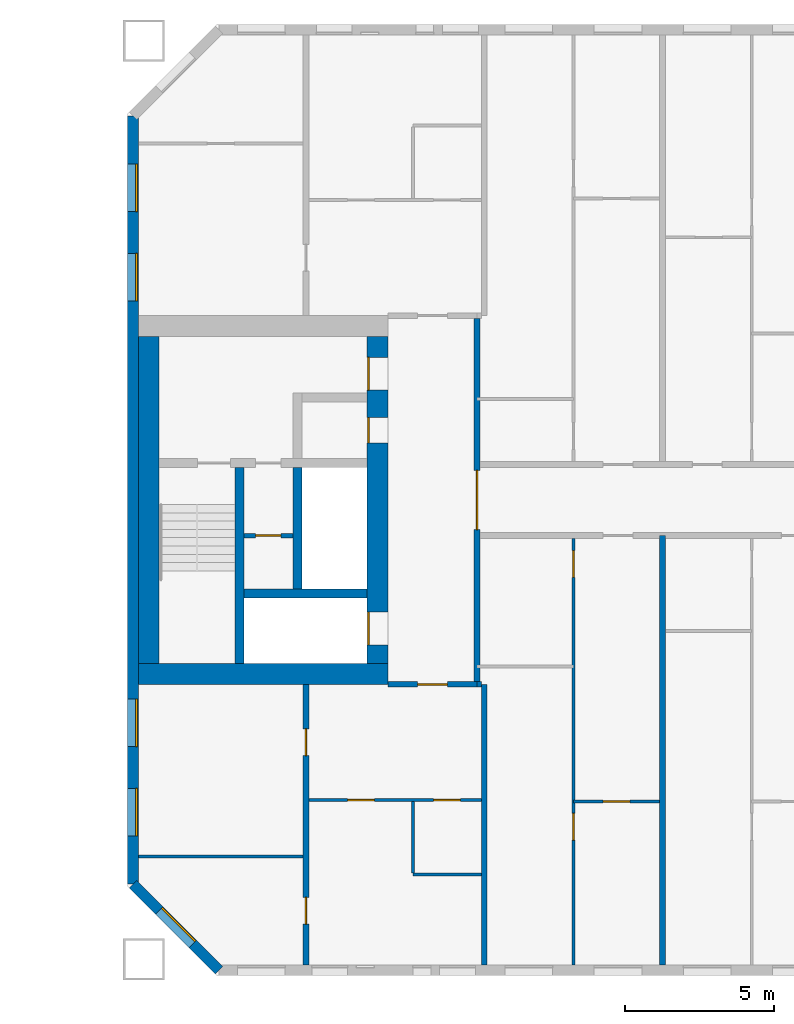
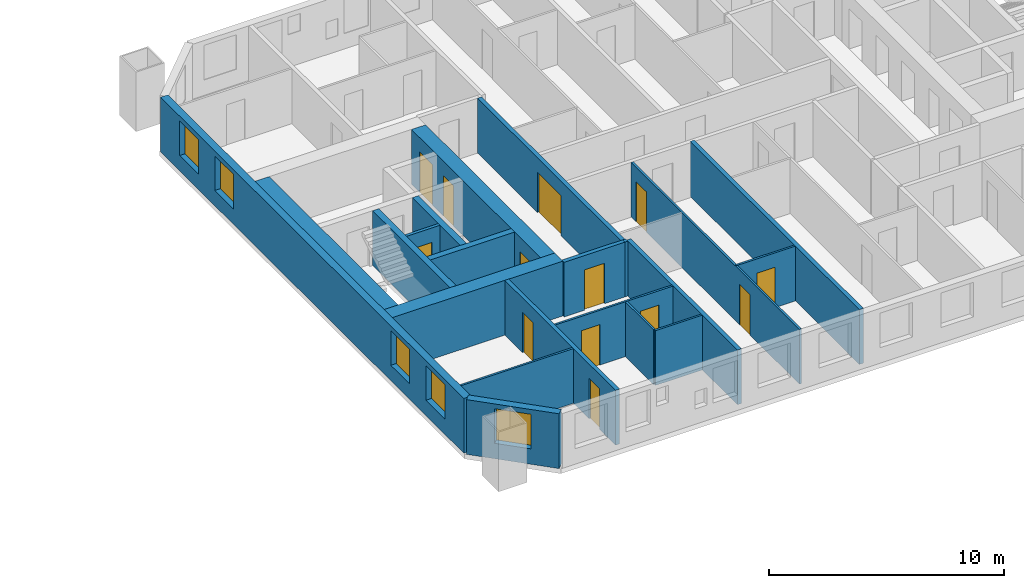
# One storey, part 9 of 17: 21 walls, 13 doors, 5 windows, 18 openings.
"""IFC4 building model written with IfcOpenShell, lengths in metres."""

from ifc_helpers import new_model, si_unit, direction, frame, frame_2d, origin, place, context, subcontext, project, spatial, rectangle, extrude, material, layer, layer_set, type_object, element, fill, save


model = new_model("IFC4")

# Units and contexts
model_context = context("Model", 3, precision=1e-05, world=origin(), true_north=direction((0.0, 1.0)))
body_context = subcontext(model_context, "Body", "Model", "MODEL_VIEW")
ifc_project = project(units=[si_unit("LENGTHUNIT", "METRE"), si_unit("AREAUNIT", "SQUARE_METRE"), si_unit("VOLUMEUNIT", "CUBIC_METRE"), si_unit("PLANEANGLEUNIT", "RADIAN"), si_unit("MASSUNIT", "GRAM", prefix="KILO")], contexts=[model_context])

# Site, building, storey
site_placement = place(None, origin())
site = spatial("IfcSite", under=ifc_project, at=site_placement, CompositionType="ELEMENT")
building_placement = place(site_placement, origin())
building = spatial("IfcBuilding", under=site, at=building_placement, Name="Tuart Gate Housing", CompositionType="ELEMENT")
storey_placement = place(building_placement, frame((0.0, 0.0, 74.699951171875)))
storey = spatial("IfcBuildingStorey", under=building, at=storey_placement, Name="L20", CompositionType="ELEMENT", Elevation=74.699951171875)

# Wall, opening, window
ifc_material_1 = material(Name="Brick", Category="masonry")
ifc_layer_1 = layer(ifc_material_1, 0.360107421875)
ifc_layer_set_1 = layer_set([ifc_layer_1], Name="Brick pier and spandrel wall 360")
wall_type_1 = type_object("IfcWallType", Name="Brick pier and spandrel wall 360", PredefinedType="STANDARD", material=ifc_layer_set_1)
wall_1_placement = place(storey_placement, frame((131.179931640625, 57.07470703125, 0.0), z_axis=(0.0, 0.0, 1.0), x_axis=(0.707106781187, -0.707106781187, 0.0)))
wall_1 = element("IfcWall", 1, at=wall_1_placement, inside=storey, type_object=wall_type_1, Name="External wall B-SW L20", PredefinedType="STANDARD", context=body_context, shape_type="SweptSolid", body=[
    extrude(rectangle(XDim=4.09375, YDim=0.360107421875, at=frame_2d((2.046875, 0.0))), origin(), (0.0, 0.0, 1.0), 2.85009765625),
])
opening_1_placement = place(wall_1_placement, frame((1.2470703125, 0.0, 0.800048828125)))
opening_1 = element("IfcOpeningElement", 2, at=opening_1_placement, cuts=wall_1, Name="Opening W1", PredefinedType="OPENING", context=body_context, shape_type="SweptSolid", body=[
    extrude(rectangle(XDim=1.60009765625, YDim=1.800048828125, at=frame_2d((0.800048828125, 0.89990234375))), frame((0.0, 0.18994140625, 0.0), z_axis=(0.0, -1.0, 0.0), x_axis=(1.0, 0.0, 0.0)), (0.0, 0.0, 1.0), 0.380126953125),
])
ifc_material_2 = material(Name="Aluminium frame with clear glass", Category="aluminium")
window_type = type_object("IfcWindowType", Name="Punched window 1600 x 1800", PartitioningType="SINGLE_PANEL", PredefinedType="WINDOW", material=ifc_material_2)
window_1_placement = place(opening_1_placement, origin())
window_1 = element("IfcWindow", 3, at=window_1_placement, inside=storey, type_object=window_type, Name="Window W1", OverallHeight=1.800048828125, OverallWidth=1.60009765625, PartitioningType="SINGLE_PANEL", PredefinedType="WINDOW", context=body_context, shape_type="SweptSolid", body=[
    extrude(rectangle(XDim=1.60009765625, YDim=1.800048828125, at=frame_2d((0.800048828125, 0.89990234375))), frame((0.0, 0.150146484375, 0.0), z_axis=(0.0, -1.0, 0.0), x_axis=(1.0, 0.0, 0.0)), (0.0, 0.0, 1.0), 0.06005859375),
])
fill(opening_1, window_1)

# Wall, openings, windows
wall_2_placement = place(storey_placement, frame((131.179931640625, 82.92529296875, 0.0), z_axis=(0.0, 0.0, 1.0), x_axis=(0.0, -1.0, 0.0)))
wall_2 = element("IfcWall", 4, at=wall_2_placement, inside=storey, type_object=wall_type_1, Name="External wall B-W L20", PredefinedType="STANDARD", context=body_context, shape_type="SweptSolid", body=[
    extrude(rectangle(XDim=25.850830078125, YDim=0.360107421875, at=frame_2d((12.92529296875, 0.0))), origin(), (0.0, 0.0, 1.0), 2.85009765625),
])
opening_2_placement = place(wall_2_placement, frame((1.62548828125, 0.0, 0.800048828125)))
opening_2 = element("IfcOpeningElement", 5, at=opening_2_placement, cuts=wall_2, Name="Opening W1", PredefinedType="OPENING", context=body_context, shape_type="SweptSolid", body=[
    extrude(rectangle(XDim=1.60009765625, YDim=1.800048828125, at=frame_2d((0.800048828125, 0.89990234375))), frame((0.0, 0.18994140625, 0.0), z_axis=(0.0, -1.0, 0.0), x_axis=(1.0, 0.0, 0.0)), (0.0, 0.0, 1.0), 0.380126953125),
])
opening_3_placement = place(wall_2_placement, frame((4.62548828125, 0.0, 0.800048828125)))
opening_3 = element("IfcOpeningElement", 6, at=opening_3_placement, cuts=wall_2, Name="Opening W1", PredefinedType="OPENING", context=body_context, shape_type="SweptSolid", body=[
    extrude(rectangle(XDim=1.60009765625, YDim=1.800048828125, at=frame_2d((0.800048828125, 0.89990234375))), frame((0.0, 0.18994140625, 0.0), z_axis=(0.0, -1.0, 0.0), x_axis=(1.0, 0.0, 0.0)), (0.0, 0.0, 1.0), 0.380126953125),
])
opening_4_placement = place(wall_2_placement, frame((19.62548828125, 0.0, 0.800048828125)))
opening_4 = element("IfcOpeningElement", 7, at=opening_4_placement, cuts=wall_2, Name="Opening W1", PredefinedType="OPENING", context=body_context, shape_type="SweptSolid", body=[
    extrude(rectangle(XDim=1.60009765625, YDim=1.800048828125, at=frame_2d((0.800048828125, 0.89990234375))), frame((0.0, 0.18994140625, 0.0), z_axis=(0.0, -1.0, 0.0), x_axis=(1.0, 0.0, 0.0)), (0.0, 0.0, 1.0), 0.380126953125),
])
opening_5_placement = place(wall_2_placement, frame((22.62548828125, 0.0, 0.800048828125)))
opening_5 = element("IfcOpeningElement", 8, at=opening_5_placement, cuts=wall_2, Name="Opening W1", PredefinedType="OPENING", context=body_context, shape_type="SweptSolid", body=[
    extrude(rectangle(XDim=1.60009765625, YDim=1.800048828125, at=frame_2d((0.800048828125, 0.89990234375))), frame((0.0, 0.18994140625, 0.0), z_axis=(0.0, -1.0, 0.0), x_axis=(1.0, 0.0, 0.0)), (0.0, 0.0, 1.0), 0.380126953125),
])
window_2_placement = place(opening_2_placement, origin())
window_2 = element("IfcWindow", 9, at=window_2_placement, inside=storey, type_object=window_type, Name="Window W1", OverallHeight=1.800048828125, OverallWidth=1.60009765625, PartitioningType="SINGLE_PANEL", PredefinedType="WINDOW", context=body_context, shape_type="SweptSolid", body=[
    extrude(rectangle(XDim=1.60009765625, YDim=1.800048828125, at=frame_2d((0.800048828125, 0.89990234375))), frame((0.0, 0.150146484375, 0.0), z_axis=(0.0, -1.0, 0.0), x_axis=(1.0, 0.0, 0.0)), (0.0, 0.0, 1.0), 0.06005859375),
])
fill(opening_2, window_2)
window_3_placement = place(opening_3_placement, origin())
window_3 = element("IfcWindow", 10, at=window_3_placement, inside=storey, type_object=window_type, Name="Window W1", OverallHeight=1.800048828125, OverallWidth=1.60009765625, PartitioningType="SINGLE_PANEL", PredefinedType="WINDOW", context=body_context, shape_type="SweptSolid", body=[
    extrude(rectangle(XDim=1.60009765625, YDim=1.800048828125, at=frame_2d((0.800048828125, 0.89990234375))), frame((0.0, 0.150146484375, 0.0), z_axis=(0.0, -1.0, 0.0), x_axis=(1.0, 0.0, 0.0)), (0.0, 0.0, 1.0), 0.06005859375),
])
fill(opening_3, window_3)
window_4_placement = place(opening_4_placement, origin())
window_4 = element("IfcWindow", 11, at=window_4_placement, inside=storey, type_object=window_type, Name="Window W1", OverallHeight=1.800048828125, OverallWidth=1.60009765625, PartitioningType="SINGLE_PANEL", PredefinedType="WINDOW", context=body_context, shape_type="SweptSolid", body=[
    extrude(rectangle(XDim=1.60009765625, YDim=1.800048828125, at=frame_2d((0.800048828125, 0.89990234375))), frame((0.0, 0.150146484375, 0.0), z_axis=(0.0, -1.0, 0.0), x_axis=(1.0, 0.0, 0.0)), (0.0, 0.0, 1.0), 0.06005859375),
])
fill(opening_4, window_4)
window_5_placement = place(opening_5_placement, origin())
window_5 = element("IfcWindow", 12, at=window_5_placement, inside=storey, type_object=window_type, Name="Window W1", OverallHeight=1.800048828125, OverallWidth=1.60009765625, PartitioningType="SINGLE_PANEL", PredefinedType="WINDOW", context=body_context, shape_type="SweptSolid", body=[
    extrude(rectangle(XDim=1.60009765625, YDim=1.800048828125, at=frame_2d((0.800048828125, 0.89990234375))), frame((0.0, 0.150146484375, 0.0), z_axis=(0.0, -1.0, 0.0), x_axis=(1.0, 0.0, 0.0)), (0.0, 0.0, 1.0), 0.06005859375),
])
fill(opening_5, window_5)

# Wall, opening, door
ifc_material_3 = material(Name="Plasterboard partition")
ifc_layer_2 = layer(ifc_material_3, 0.14990234375)
ifc_layer_set_2 = layer_set([ifc_layer_2], Name="Core partition 150")
wall_type_2 = type_object("IfcWallType", Name="Core partition 150", PredefinedType="PARTITIONING", material=ifc_layer_set_2)
wall_3_placement = place(storey_placement, frame((136.56005859375, 68.800048828125, 0.0), z_axis=(0.0, 0.0, 1.0), x_axis=(-1.0, 0.0, 0.0)))
wall_3 = element("IfcWall", 13, at=wall_3_placement, inside=storey, type_object=wall_type_2, Name="Core partition BG.2", PredefinedType="PARTITIONING", context=body_context, shape_type="SweptSolid", body=[
    extrude(rectangle(XDim=1.650146484375, YDim=0.14990234375, at=frame_2d((0.8251953125, 0.0))), origin(), (0.0, 0.0, 1.0), 2.85009765625),
])
opening_6_placement = place(wall_3_placement, frame((0.39990234375, 0.0, 0.0)))
opening_6 = element("IfcOpeningElement", 14, at=opening_6_placement, cuts=wall_3, Name="Opening D927", PredefinedType="OPENING", context=body_context, shape_type="SweptSolid", body=[
    extrude(rectangle(XDim=0.85009765625, YDim=2.10009765625, at=frame_2d((0.425048828125, 1.050048828125))), frame((0.0, 0.0849609375, 0.0), z_axis=(0.0, -1.0, 0.0), x_axis=(1.0, 0.0, 0.0)), (0.0, 0.0, 1.0), 0.169921875),
])
ifc_material_4 = material(Name="Steel fire door", Category="steel")
door_type_1 = type_object("IfcDoorType", Name="Service door 850 x 2100 RH", OperationType="SINGLE_SWING_RIGHT", PredefinedType="DOOR", material=ifc_material_4)
door_1_placement = place(opening_6_placement, frame((0.85009765625, 0.0, 0.0), z_axis=(0.0, 0.0, 1.0), x_axis=(-1.0, 0.0, 0.0)))
door_1 = element("IfcDoor", 15, at=door_1_placement, inside=storey, type_object=door_type_1, Name="Service room door BG.W2", OperationType="SINGLE_SWING_RIGHT", OverallHeight=2.10009765625, OverallWidth=0.85009765625, PredefinedType="DOOR", context=body_context, shape_type="SweptSolid", body=[
    extrude(rectangle(XDim=0.85009765625, YDim=2.10009765625, at=frame_2d((0.425048828125, 1.050048828125))), frame((0.0, 0.025146484375, 0.0), z_axis=(0.0, -1.0, 0.0), x_axis=(1.0, 0.0, 0.0)), (0.0, 0.0, 1.0), 0.050048828125),
])
fill(opening_6, door_1)

# Walls
ifc_material_5 = material(Name="Concrete C50", Category="concrete")
ifc_layer_3 = layer(ifc_material_5, 0.300048828125)
ifc_layer_set_3 = layer_set([ifc_layer_3], Name="Core wall 300 C50")
wall_type_3 = type_object("IfcWallType", Name="Core wall 300 C50", PredefinedType="SHEAR", material=ifc_layer_set_3)
wall_4_placement = place(storey_placement, frame((139.06005859375, 66.85009765625, 0.0), z_axis=(0.0, 0.0, 1.0), x_axis=(-1.0, 0.0, 0.0)))
element("IfcWall", 16, at=wall_4_placement, inside=storey, type_object=wall_type_3, Name="Core wall BG.1", PredefinedType="SHEAR", context=body_context, shape_type="SweptSolid", body=[
    extrude(rectangle(XDim=4.150146484375, YDim=0.300048828125, at=frame_2d((2.0751953125, 0.0))), origin(), (0.0, 0.0, 1.0), 2.85009765625),
])
wall_5_placement = place(storey_placement, frame((136.7099609375, 67.0, 0.0), z_axis=(0.0, 0.0, 1.0), x_axis=(0.0, 1.0, 0.0)))
element("IfcWall", 17, at=wall_5_placement, inside=storey, type_object=wall_type_3, Name="Core wall BG.5", PredefinedType="SHEAR", context=body_context, shape_type="SweptSolid", body=[
    extrude(rectangle(XDim=4.10009765625, YDim=0.300048828125, at=frame_2d((2.050048828125, 0.0))), origin(), (0.0, 0.0, 1.0), 2.85009765625),
])
wall_6_placement = place(storey_placement, frame((134.760009765625, 64.5, 0.0), z_axis=(0.0, 0.0, 1.0), x_axis=(0.0, 1.0, 0.0)))
element("IfcWall", 18, at=wall_6_placement, inside=storey, type_object=wall_type_3, Name="Core wall BG.7", PredefinedType="SHEAR", context=body_context, shape_type="SweptSolid", body=[
    extrude(rectangle(XDim=6.60009765625, YDim=0.300048828125, at=frame_2d((3.300048828125, 0.0))), origin(), (0.0, 0.0, 1.0), 2.85009765625),
])

# Wall, openings, doors
ifc_material_6 = material(Name="Concrete C50", Category="concrete")
ifc_layer_4 = layer(ifc_material_6, 0.699951171875)
ifc_layer_set_4 = layer_set([ifc_layer_4], Name="Core wall 700 C50")
wall_type_4 = type_object("IfcWallType", Name="Core wall 700 C50", PredefinedType="SHEAR", material=ifc_layer_set_4)
wall_7_placement = place(storey_placement, frame((139.409912109375, 64.5, 0.0), z_axis=(0.0, 0.0, 1.0), x_axis=(0.0, 1.0, 0.0)))
wall_7 = element("IfcWall", 19, at=wall_7_placement, inside=storey, type_object=wall_type_4, Name="Core wall BG front", PredefinedType="SHEAR", context=body_context, shape_type="SweptSolid", body=[
    extrude(rectangle(XDim=11.0, YDim=0.699951171875, at=frame_2d((5.5, 0.0))), origin(), (0.0, 0.0, 1.0), 2.85009765625),
])
opening_7_placement = place(wall_7_placement, frame((0.625, 0.0, 0.0)))
opening_7 = element("IfcOpeningElement", 20, at=opening_7_placement, cuts=wall_7, Name="Opening LD-FB1", PredefinedType="OPENING", context=body_context, shape_type="SweptSolid", body=[
    extrude(rectangle(XDim=1.10009765625, YDim=2.10009765625, at=frame_2d((0.550048828125, 1.050048828125))), frame((0.0, 0.35986328125, 0.0), z_axis=(0.0, -1.0, 0.0), x_axis=(1.0, 0.0, 0.0)), (0.0, 0.0, 1.0), 0.719970703125),
])
opening_8_placement = place(wall_7_placement, frame((9.199951171875, 0.0, 0.0)))
opening_8 = element("IfcOpeningElement", 21, at=opening_8_placement, cuts=wall_7, Name="Opening D919", PredefinedType="OPENING", context=body_context, shape_type="SweptSolid", body=[
    extrude(rectangle(XDim=1.10009765625, YDim=2.10009765625, at=frame_2d((0.550048828125, 1.050048828125))), frame((0.0, 0.35986328125, 0.0), z_axis=(0.0, -1.0, 0.0), x_axis=(1.0, 0.0, 0.0)), (0.0, 0.0, 1.0), 0.719970703125),
])
opening_9_placement = place(wall_7_placement, frame((7.425048828125, 0.0, 0.0)))
opening_9 = element("IfcOpeningElement", 22, at=opening_9_placement, cuts=wall_7, Name="Opening D920", PredefinedType="OPENING", context=body_context, shape_type="SweptSolid", body=[
    extrude(rectangle(XDim=0.85009765625, YDim=2.10009765625, at=frame_2d((0.425048828125, 1.050048828125))), frame((0.0, 0.35986328125, 0.0), z_axis=(0.0, -1.0, 0.0), x_axis=(1.0, 0.0, 0.0)), (0.0, 0.0, 1.0), 0.719970703125),
])
ifc_material_7 = material(Name="Stainless steel", Category="steel")
door_type_2 = type_object("IfcDoorType", Name="Landing door 1100 x 2100", OperationType="DOUBLE_DOOR_SLIDING", PredefinedType="DOOR", material=ifc_material_7)
door_2_placement = place(opening_7_placement, origin())
door_2 = element("IfcDoor", 23, at=door_2_placement, inside=storey, type_object=door_type_2, Name="Lift landing door FB1", OperationType="DOUBLE_DOOR_SLIDING", OverallHeight=2.10009765625, OverallWidth=1.10009765625, PredefinedType="DOOR", context=body_context, shape_type="SweptSolid", body=[
    extrude(rectangle(XDim=1.10009765625, YDim=2.10009765625, at=frame_2d((0.550048828125, 1.050048828125))), frame((0.0, 0.3349609375, 0.0), z_axis=(0.0, -1.0, 0.0), x_axis=(1.0, 0.0, 0.0)), (0.0, 0.0, 1.0), 0.050048828125),
])
fill(opening_7, door_2)
ifc_material_8 = material(Name="Steel fire door", Category="steel")
door_type_3 = type_object("IfcDoorType", Name="Lobby door 1100 x 2100", OperationType="SINGLE_SWING_LEFT", PredefinedType="DOOR", material=ifc_material_8)
door_3_placement = place(opening_8_placement, origin())
door_3 = element("IfcDoor", 24, at=door_3_placement, inside=storey, type_object=door_type_3, Name="Lobby entry door BG.EN", OperationType="SINGLE_SWING_LEFT", OverallHeight=2.10009765625, OverallWidth=1.10009765625, PredefinedType="DOOR", context=body_context, shape_type="SweptSolid", body=[
    extrude(rectangle(XDim=1.10009765625, YDim=2.10009765625, at=frame_2d((0.550048828125, 1.050048828125))), frame((0.0, 0.3349609375, 0.0), z_axis=(0.0, -1.0, 0.0), x_axis=(1.0, 0.0, 0.0)), (0.0, 0.0, 1.0), 0.050048828125),
])
fill(opening_8, door_3)
ifc_material_9 = material(Name="Steel fire door", Category="steel")
door_type_4 = type_object("IfcDoorType", Name="Service door 850 x 2100", OperationType="SINGLE_SWING_LEFT", PredefinedType="DOOR", material=ifc_material_9)
door_4_placement = place(opening_9_placement, origin())
door_4 = element("IfcDoor", 25, at=door_4_placement, inside=storey, type_object=door_type_4, Name="Service room door BG.T1", OperationType="SINGLE_SWING_LEFT", OverallHeight=2.10009765625, OverallWidth=0.85009765625, PredefinedType="DOOR", context=body_context, shape_type="SweptSolid", body=[
    extrude(rectangle(XDim=0.85009765625, YDim=2.10009765625, at=frame_2d((0.425048828125, 1.050048828125))), frame((0.0, 0.3349609375, 0.0), z_axis=(0.0, -1.0, 0.0), x_axis=(1.0, 0.0, 0.0)), (0.0, 0.0, 1.0), 0.050048828125),
])
fill(opening_9, door_4)

# Walls
wall_8_placement = place(storey_placement, frame((131.7099609375, 64.5, 0.0), z_axis=(0.0, 0.0, 1.0), x_axis=(0.0, 1.0, 0.0)))
element("IfcWall", 26, at=wall_8_placement, inside=storey, type_object=wall_type_4, Name="Core wall BG back", PredefinedType="SHEAR", context=body_context, shape_type="SweptSolid", body=[
    extrude(rectangle(XDim=11.0, YDim=0.699951171875, at=frame_2d((5.5, 0.0))), origin(), (0.0, 0.0, 1.0), 2.85009765625),
])
wall_9_placement = place(storey_placement, frame((139.760009765625, 64.14990234375, 0.0), z_axis=(0.0, 0.0, 1.0), x_axis=(-1.0, 0.0, 0.0)))
element("IfcWall", 27, at=wall_9_placement, inside=storey, type_object=wall_type_4, Name="Core wall BG south", PredefinedType="SHEAR", context=body_context, shape_type="SweptSolid", body=[
    extrude(rectangle(XDim=8.39990234375, YDim=0.699951171875, at=frame_2d((4.199951171875, 0.0))), origin(), (0.0, 0.0, 1.0), 2.85009765625),
])

# Wall, opening, door
ifc_material_10 = material(Name="Concrete masonry 15 MPa", Category="masonry")
ifc_layer_5 = layer(ifc_material_10, 0.199951171875)
ifc_layer_set_5 = layer_set([ifc_layer_5], Name="Enclosure wall masonry 200")
wall_type_5 = type_object("IfcWallType", Name="Enclosure wall masonry 200", PredefinedType="PARTITIONING", material=ifc_layer_set_5)
wall_10_placement = place(storey_placement, frame((139.760009765625, 63.800048828125, 0.0), z_axis=(0.0, 0.0, 1.0), x_axis=(1.0, 0.0, 0.0)))
wall_10 = element("IfcWall", 28, at=wall_10_placement, inside=storey, type_object=wall_type_5, Name="Enclosure wall masonry 200", PredefinedType="PARTITIONING", context=body_context, shape_type="SweptSolid", body=[
    extrude(rectangle(XDim=3.0, YDim=0.199951171875, at=frame_2d((1.5, 0.0))), origin(), (0.0, 0.0, 1.0), 2.85009765625),
])
opening_10_placement = place(wall_10_placement, frame((1.0, 0.0, 0.0)))
opening_10 = element("IfcOpeningElement", 29, at=opening_10_placement, cuts=wall_10, Name="Opening D932", PredefinedType="OPENING", context=body_context, shape_type="SweptSolid", body=[
    extrude(rectangle(XDim=1.0, YDim=2.10009765625, at=frame_2d((0.5, 1.050048828125))), frame((0.0, 0.10986328125, 0.0), z_axis=(0.0, -1.0, 0.0), x_axis=(1.0, 0.0, 0.0)), (0.0, 0.0, 1.0), 0.219970703125),
])
ifc_material_11 = material(Name="Timber door leaf in steel frame", Category="steel")
door_type_5 = type_object("IfcDoorType", Name="Flat entrance door 1000", OperationType="SINGLE_SWING_LEFT", PredefinedType="DOOR", material=ifc_material_11)
door_5_placement = place(opening_10_placement, frame((1.0, 0.0, 0.0), z_axis=(0.0, 0.0, 1.0), x_axis=(-1.0, 0.0, 0.0)))
door_5 = element("IfcDoor", 30, at=door_5_placement, inside=storey, type_object=door_type_5, Name="Flat entrance door", OperationType="SINGLE_SWING_LEFT", OverallHeight=2.10009765625, OverallWidth=1.0, PredefinedType="DOOR", context=body_context, shape_type="SweptSolid", body=[
    extrude(rectangle(XDim=1.0, YDim=2.10009765625, at=frame_2d((0.5, 1.050048828125))), frame((0.0, 0.025146484375, 0.0), z_axis=(0.0, -1.0, 0.0), x_axis=(1.0, 0.0, 0.0)), (0.0, 0.0, 1.0), 0.050048828125),
])
fill(opening_10, door_5)

ifc_material_12 = material(Name="Plasterboard partition")
ifc_layer_6 = layer(ifc_material_12, 0.199951171875)
ifc_layer_set_6 = layer_set([ifc_layer_6], Name="Lobby wall 200")
wall_type_6 = type_object("IfcWallType", Name="Lobby wall 200", PredefinedType="PARTITIONING", material=ifc_layer_set_6)
wall_11_placement = place(storey_placement, frame((142.760009765625, 63.89990234375, 0.0), z_axis=(0.0, 0.0, 1.0), x_axis=(0.0, 1.0, 0.0)))
wall_11 = element("IfcWall", 31, at=wall_11_placement, inside=storey, type_object=wall_type_6, Name="Lift lobby wall BG", PredefinedType="PARTITIONING", context=body_context, shape_type="SweptSolid", body=[
    extrude(rectangle(XDim=12.2001953125, YDim=0.199951171875, at=frame_2d((6.10009765625, 0.0))), origin(), (0.0, 0.0, 1.0), 2.85009765625),
])
opening_11_placement = place(wall_11_placement, frame((5.10009765625, 0.0, 0.0)))
opening_11 = element("IfcOpeningElement", 32, at=opening_11_placement, cuts=wall_11, Name="Opening D921", PredefinedType="OPENING", context=body_context, shape_type="SweptSolid", body=[
    extrude(rectangle(XDim=2.0, YDim=2.10009765625, at=frame_2d((1.0, 1.050048828125))), frame((0.0, 0.10986328125, 0.0), z_axis=(0.0, -1.0, 0.0), x_axis=(1.0, 0.0, 0.0)), (0.0, 0.0, 1.0), 0.219970703125),
])
ifc_material_13 = material(Name="Steel fire door", Category="steel")
door_type_6 = type_object("IfcDoorType", Name="Smoke door 2000 x 2100", OperationType="DOUBLE_DOOR_SINGLE_SWING", PredefinedType="DOOR", material=ifc_material_13)
door_6_placement = place(opening_11_placement, origin())
door_6 = element("IfcDoor", 33, at=door_6_placement, inside=storey, type_object=door_type_6, Name="Lift lobby smoke door BG", OperationType="DOUBLE_DOOR_SINGLE_SWING", OverallHeight=2.10009765625, OverallWidth=2.0, PredefinedType="DOOR", context=body_context, shape_type="SweptSolid", body=[
    extrude(rectangle(XDim=2.0, YDim=2.10009765625, at=frame_2d((1.0, 1.050048828125))), frame((0.0, 0.02490234375, 0.0), z_axis=(0.0, -1.0, 0.0), x_axis=(1.0, 0.0, 0.0)), (0.0, 0.0, 1.0), 0.050048828125),
])
fill(opening_11, door_6)

# Walls
ifc_material_14 = material(Name="Gypsum board on steel studs", Category="steel")
ifc_layer_7 = layer(ifc_material_14, 0.10009765625)
ifc_layer_set_7 = layer_set([ifc_layer_7], Name="Partition 100")
wall_type_7 = type_object("IfcWallType", Name="Partition 100", PredefinedType="PARTITIONING", material=ifc_layer_set_7)
wall_12_placement = place(storey_placement, frame((140.60009765625, 57.39990234375, 0.0), z_axis=(0.0, 0.0, 1.0), x_axis=(1.0, 0.0, 0.0)))
element("IfcWall", 34, at=wall_12_placement, inside=storey, type_object=wall_type_7, Name="Partition 100", PredefinedType="PARTITIONING", context=body_context, shape_type="SweptSolid", body=[
    extrude(rectangle(XDim=2.2998046875, YDim=0.10009765625, at=frame_2d((1.14990234375, 0.0))), origin(), (0.0, 0.0, 1.0), 2.85009765625),
])
wall_13_placement = place(storey_placement, frame((131.360107421875, 58.0, 0.0), z_axis=(0.0, 0.0, 1.0), x_axis=(1.0, 0.0, 0.0)))
element("IfcWall", 35, at=wall_13_placement, inside=storey, type_object=wall_type_7, Name="Partition 100", PredefinedType="PARTITIONING", context=body_context, shape_type="SweptSolid", body=[
    extrude(rectangle(XDim=5.539794921875, YDim=0.10009765625, at=frame_2d((2.77001953125, 0.0))), origin(), (0.0, 0.0, 1.0), 2.85009765625),
])

# Wall, opening, door
wall_14_placement = place(storey_placement, frame((146.0, 59.860107421875, 0.0), z_axis=(0.0, 0.0, 1.0), x_axis=(1.0, 0.0, 0.0)))
wall_14 = element("IfcWall", 36, at=wall_14_placement, inside=storey, type_object=wall_type_7, Name="Partition 100", PredefinedType="PARTITIONING", context=body_context, shape_type="SweptSolid", body=[
    extrude(rectangle(XDim=2.89990234375, YDim=0.10009765625, at=frame_2d((1.449951171875, 0.0))), origin(), (0.0, 0.0, 1.0), 2.85009765625),
])
opening_12_placement = place(wall_14_placement, frame((1.0, 0.0, 0.0)))
opening_12 = element("IfcOpeningElement", 37, at=opening_12_placement, cuts=wall_14, Name="Opening D944", PredefinedType="OPENING", context=body_context, shape_type="SweptSolid", body=[
    extrude(rectangle(XDim=0.89990234375, YDim=2.10009765625, at=frame_2d((0.449951171875, 1.050048828125))), frame((0.0, 0.06005859375, 0.0), z_axis=(0.0, -1.0, 0.0), x_axis=(1.0, 0.0, 0.0)), (0.0, 0.0, 1.0), 0.1201171875),
])
ifc_material_15 = material(Name="Timber door leaf in steel frame", Category="steel")
door_type_7 = type_object("IfcDoorType", Name="Internal door 900", OperationType="SINGLE_SWING_LEFT", PredefinedType="DOOR", material=ifc_material_15)
door_7_placement = place(opening_12_placement, origin())
door_7 = element("IfcDoor", 38, at=door_7_placement, inside=storey, type_object=door_type_7, Name="Internal door", OperationType="SINGLE_SWING_LEFT", OverallHeight=2.10009765625, OverallWidth=0.89990234375, PredefinedType="DOOR", context=body_context, shape_type="SweptSolid", body=[
    extrude(rectangle(XDim=0.89990234375, YDim=2.10009765625, at=frame_2d((0.449951171875, 1.050048828125))), frame((0.0, 0.02490234375, 0.0), z_axis=(0.0, -1.0, 0.0), x_axis=(1.0, 0.0, 0.0)), (0.0, 0.0, 1.0), 0.050048828125),
])
fill(opening_12, door_7)

# Wall, openings, doors
wall_15_placement = place(storey_placement, frame((137.10009765625, 59.89990234375, 0.0), z_axis=(0.0, 0.0, 1.0), x_axis=(1.0, 0.0, 0.0)))
wall_15 = element("IfcWall", 39, at=wall_15_placement, inside=storey, type_object=wall_type_7, Name="Partition 100", PredefinedType="PARTITIONING", context=body_context, shape_type="SweptSolid", body=[
    extrude(rectangle(XDim=5.7998046875, YDim=0.10009765625, at=frame_2d((2.89990234375, 0.0))), origin(), (0.0, 0.0, 1.0), 2.85009765625),
])
opening_13_placement = place(wall_15_placement, frame((1.300048828125, 0.0, 0.0)))
opening_13 = element("IfcOpeningElement", 40, at=opening_13_placement, cuts=wall_15, Name="Opening D942", PredefinedType="OPENING", context=body_context, shape_type="SweptSolid", body=[
    extrude(rectangle(XDim=0.89990234375, YDim=2.10009765625, at=frame_2d((0.449951171875, 1.050048828125))), frame((0.0, 0.06005859375, 0.0), z_axis=(0.0, -1.0, 0.0), x_axis=(1.0, 0.0, 0.0)), (0.0, 0.0, 1.0), 0.1201171875),
])
opening_14_placement = place(wall_15_placement, frame((4.199951171875, 0.0, 0.0)))
opening_14 = element("IfcOpeningElement", 41, at=opening_14_placement, cuts=wall_15, Name="Opening D941", PredefinedType="OPENING", context=body_context, shape_type="SweptSolid", body=[
    extrude(rectangle(XDim=0.89990234375, YDim=2.10009765625, at=frame_2d((0.449951171875, 1.050048828125))), frame((0.0, 0.06005859375, 0.0), z_axis=(0.0, -1.0, 0.0), x_axis=(1.0, 0.0, 0.0)), (0.0, 0.0, 1.0), 0.1201171875),
])
ifc_material_16 = material(Name="Timber door leaf in steel frame", Category="steel")
door_type_8 = type_object("IfcDoorType", Name="Bathroom door 900 RH", OperationType="SINGLE_SWING_RIGHT", PredefinedType="DOOR", material=ifc_material_16)
door_8_placement = place(opening_14_placement, frame((0.89990234375, 0.0, 0.0), z_axis=(0.0, 0.0, 1.0), x_axis=(-1.0, 0.0, 0.0)))
door_8 = element("IfcDoor", 42, at=door_8_placement, inside=storey, type_object=door_type_8, Name="Bathroom door", OperationType="SINGLE_SWING_RIGHT", OverallHeight=2.10009765625, OverallWidth=0.89990234375, PredefinedType="DOOR", context=body_context, shape_type="SweptSolid", body=[
    extrude(rectangle(XDim=0.89990234375, YDim=2.10009765625, at=frame_2d((0.449951171875, 1.050048828125))), frame((0.0, 0.025146484375, 0.0), z_axis=(0.0, -1.0, 0.0), x_axis=(1.0, 0.0, 0.0)), (0.0, 0.0, 1.0), 0.050048828125),
])
fill(opening_14, door_8)
door_9_placement = place(opening_13_placement, origin())
door_9 = element("IfcDoor", 43, at=door_9_placement, inside=storey, type_object=door_type_7, Name="Internal door", OperationType="SINGLE_SWING_LEFT", OverallHeight=2.10009765625, OverallWidth=0.89990234375, PredefinedType="DOOR", context=body_context, shape_type="SweptSolid", body=[
    extrude(rectangle(XDim=0.89990234375, YDim=2.10009765625, at=frame_2d((0.449951171875, 1.050048828125))), frame((0.0, 0.02490234375, 0.0), z_axis=(0.0, -1.0, 0.0), x_axis=(1.0, 0.0, 0.0)), (0.0, 0.0, 1.0), 0.050048828125),
])
fill(opening_13, door_9)

# Wall
wall_16_placement = place(storey_placement, frame((140.60009765625, 57.449951171875, 0.0), z_axis=(0.0, 0.0, 1.0), x_axis=(0.0, 1.0, 0.0)))
element("IfcWall", 44, at=wall_16_placement, inside=storey, type_object=wall_type_7, Name="Partition 100", PredefinedType="PARTITIONING", context=body_context, shape_type="SweptSolid", body=[
    extrude(rectangle(XDim=2.400146484375, YDim=0.10009765625, at=frame_2d((1.2001953125, 0.0))), origin(), (0.0, 0.0, 1.0), 2.85009765625),
])

# Wall, openings, doors
wall_17_placement = place(storey_placement, frame((146.0, 54.360107421875, 0.0), z_axis=(0.0, 0.0, 1.0), x_axis=(0.0, 1.0, 0.0)))
wall_17 = element("IfcWall", 45, at=wall_17_placement, inside=storey, type_object=wall_type_7, Name="Partition 100", PredefinedType="PARTITIONING", context=body_context, shape_type="SweptSolid", body=[
    extrude(rectangle(XDim=14.33984375, YDim=0.10009765625, at=frame_2d((7.169921875, 0.0))), origin(), (0.0, 0.0, 1.0), 2.85009765625),
])
opening_15_placement = place(wall_17_placement, frame((4.199951171875, 0.0, 0.0)))
opening_15 = element("IfcOpeningElement", 46, at=opening_15_placement, cuts=wall_17, Name="Opening D935", PredefinedType="OPENING", context=body_context, shape_type="SweptSolid", body=[
    extrude(rectangle(XDim=0.89990234375, YDim=2.10009765625, at=frame_2d((0.449951171875, 1.050048828125))), frame((0.0, 0.06005859375, 0.0), z_axis=(0.0, -1.0, 0.0), x_axis=(1.0, 0.0, 0.0)), (0.0, 0.0, 1.0), 0.1201171875),
])
opening_16_placement = place(wall_17_placement, frame((13.0400390625, 0.0, 0.0)))
opening_16 = element("IfcOpeningElement", 47, at=opening_16_placement, cuts=wall_17, Name="Opening D934", PredefinedType="OPENING", context=body_context, shape_type="SweptSolid", body=[
    extrude(rectangle(XDim=0.89990234375, YDim=2.10009765625, at=frame_2d((0.449951171875, 1.050048828125))), frame((0.0, 0.06005859375, 0.0), z_axis=(0.0, -1.0, 0.0), x_axis=(1.0, 0.0, 0.0)), (0.0, 0.0, 1.0), 0.1201171875),
])
door_10_placement = place(opening_16_placement, origin())
door_10 = element("IfcDoor", 48, at=door_10_placement, inside=storey, type_object=door_type_8, Name="Bathroom door", OperationType="SINGLE_SWING_RIGHT", OverallHeight=2.10009765625, OverallWidth=0.89990234375, PredefinedType="DOOR", context=body_context, shape_type="SweptSolid", body=[
    extrude(rectangle(XDim=0.89990234375, YDim=2.10009765625, at=frame_2d((0.449951171875, 1.050048828125))), frame((0.0, 0.02490234375, 0.0), z_axis=(0.0, -1.0, 0.0), x_axis=(1.0, 0.0, 0.0)), (0.0, 0.0, 1.0), 0.050048828125),
])
fill(opening_16, door_10)
door_11_placement = place(opening_15_placement, origin())
door_11 = element("IfcDoor", 49, at=door_11_placement, inside=storey, type_object=door_type_7, Name="Internal door", OperationType="SINGLE_SWING_LEFT", OverallHeight=2.10009765625, OverallWidth=0.89990234375, PredefinedType="DOOR", context=body_context, shape_type="SweptSolid", body=[
    extrude(rectangle(XDim=0.89990234375, YDim=2.10009765625, at=frame_2d((0.449951171875, 1.050048828125))), frame((0.0, 0.02490234375, 0.0), z_axis=(0.0, -1.0, 0.0), x_axis=(1.0, 0.0, 0.0)), (0.0, 0.0, 1.0), 0.050048828125),
])
fill(opening_15, door_11)

ifc_material_17 = material(Name="Concrete C40", Category="concrete")
ifc_layer_8 = layer(ifc_material_17, 0.199951171875)
ifc_layer_set_8 = layer_set([ifc_layer_8], Name="Party wall concrete C40 200")
wall_type_8 = type_object("IfcWallType", Name="Party wall concrete C40 200", PredefinedType="SOLIDWALL", material=ifc_layer_set_8)
wall_18_placement = place(storey_placement, frame((137.0, 54.360107421875, 0.0), z_axis=(0.0, 0.0, 1.0), x_axis=(0.0, 1.0, 0.0)))
wall_18 = element("IfcWall", 50, at=wall_18_placement, inside=storey, type_object=wall_type_8, Name="Party wall concrete C40 200", PredefinedType="SOLIDWALL", context=body_context, shape_type="SweptSolid", body=[
    extrude(rectangle(XDim=9.43994140625, YDim=0.199951171875, at=frame_2d((4.719970703125, 0.0))), origin(), (0.0, 0.0, 1.0), 2.85009765625),
])
opening_17_placement = place(wall_18_placement, frame((1.3701171875, 0.0, 0.0)))
opening_17 = element("IfcOpeningElement", 51, at=opening_17_placement, cuts=wall_18, Name="Opening D948", PredefinedType="OPENING", context=body_context, shape_type="SweptSolid", body=[
    extrude(rectangle(XDim=0.89990234375, YDim=2.10009765625, at=frame_2d((0.449951171875, 1.050048828125))), frame((0.0, 0.10986328125, 0.0), z_axis=(0.0, -1.0, 0.0), x_axis=(1.0, 0.0, 0.0)), (0.0, 0.0, 1.0), 0.219970703125),
])
opening_18_placement = place(wall_18_placement, frame((7.0400390625, 0.0, 0.0)))
opening_18 = element("IfcOpeningElement", 52, at=opening_18_placement, cuts=wall_18, Name="Opening D949", PredefinedType="OPENING", context=body_context, shape_type="SweptSolid", body=[
    extrude(rectangle(XDim=0.89990234375, YDim=2.10009765625, at=frame_2d((0.449951171875, 1.050048828125))), frame((0.0, 0.10986328125, 0.0), z_axis=(0.0, -1.0, 0.0), x_axis=(1.0, 0.0, 0.0)), (0.0, 0.0, 1.0), 0.219970703125),
])
door_12_placement = place(opening_17_placement, origin())
door_12 = element("IfcDoor", 53, at=door_12_placement, inside=storey, type_object=door_type_7, Name="Internal door", OperationType="SINGLE_SWING_LEFT", OverallHeight=2.10009765625, OverallWidth=0.89990234375, PredefinedType="DOOR", context=body_context, shape_type="SweptSolid", body=[
    extrude(rectangle(XDim=0.89990234375, YDim=2.10009765625, at=frame_2d((0.449951171875, 1.050048828125))), frame((0.0, 0.02490234375, 0.0), z_axis=(0.0, -1.0, 0.0), x_axis=(1.0, 0.0, 0.0)), (0.0, 0.0, 1.0), 0.050048828125),
])
fill(opening_17, door_12)
ifc_material_18 = material(Name="Timber door leaf in steel frame", Category="steel")
door_type_9 = type_object("IfcDoorType", Name="Internal door 900 RH", OperationType="SINGLE_SWING_RIGHT", PredefinedType="DOOR", material=ifc_material_18)
door_13_placement = place(opening_18_placement, origin())
door_13 = element("IfcDoor", 54, at=door_13_placement, inside=storey, type_object=door_type_9, Name="Internal door", OperationType="SINGLE_SWING_RIGHT", OverallHeight=2.10009765625, OverallWidth=0.89990234375, PredefinedType="DOOR", context=body_context, shape_type="SweptSolid", body=[
    extrude(rectangle(XDim=0.89990234375, YDim=2.10009765625, at=frame_2d((0.449951171875, 1.050048828125))), frame((0.0, 0.02490234375, 0.0), z_axis=(0.0, -1.0, 0.0), x_axis=(1.0, 0.0, 0.0)), (0.0, 0.0, 1.0), 0.050048828125),
])
fill(opening_18, door_13)

# Walls
wall_19_placement = place(storey_placement, frame((143.0, 54.360107421875, 0.0), z_axis=(0.0, 0.0, 1.0), x_axis=(0.0, 1.0, 0.0)))
element("IfcWall", 55, at=wall_19_placement, inside=storey, type_object=wall_type_8, Name="Party wall concrete C40 200", PredefinedType="SOLIDWALL", context=body_context, shape_type="SweptSolid", body=[
    extrude(rectangle(XDim=9.43994140625, YDim=0.199951171875, at=frame_2d((4.719970703125, 0.0))), origin(), (0.0, 0.0, 1.0), 2.85009765625),
])
wall_20_placement = place(storey_placement, frame((149.0, 54.360107421875, 0.0), z_axis=(0.0, 0.0, 1.0), x_axis=(0.0, 1.0, 0.0)))
element("IfcWall", 56, at=wall_20_placement, inside=storey, type_object=wall_type_8, Name="Party wall concrete C40 200", PredefinedType="SOLIDWALL", context=body_context, shape_type="SweptSolid", body=[
    extrude(rectangle(XDim=14.43994140625, YDim=0.199951171875, at=frame_2d((7.219970703125, 0.0))), origin(), (0.0, 0.0, 1.0), 2.85009765625),
])
ifc_material_19 = material(Name="Concrete masonry 15 MPa", Category="masonry")
ifc_layer_9 = layer(ifc_material_19, 0.199951171875)
ifc_layer_set_9 = layer_set([ifc_layer_9], Name="Party wall masonry 200")
wall_type_9 = type_object("IfcWallType", Name="Party wall masonry 200", PredefinedType="PARTITIONING", material=ifc_layer_set_9)
wall_21_placement = place(storey_placement, frame((142.760009765625, 63.800048828125, 0.0), z_axis=(0.0, 0.0, 1.0), x_axis=(1.0, 0.0, 0.0)))
element("IfcWall", 57, at=wall_21_placement, inside=storey, type_object=wall_type_9, Name="Party wall masonry 200", PredefinedType="PARTITIONING", context=body_context, shape_type="SweptSolid", body=[
    extrude(rectangle(XDim=0.139892578125, YDim=0.199951171875, at=frame_2d((0.06982421875, 0.0))), origin(), (0.0, 0.0, 1.0), 2.85009765625),
])

save(model, "model.ifc")
